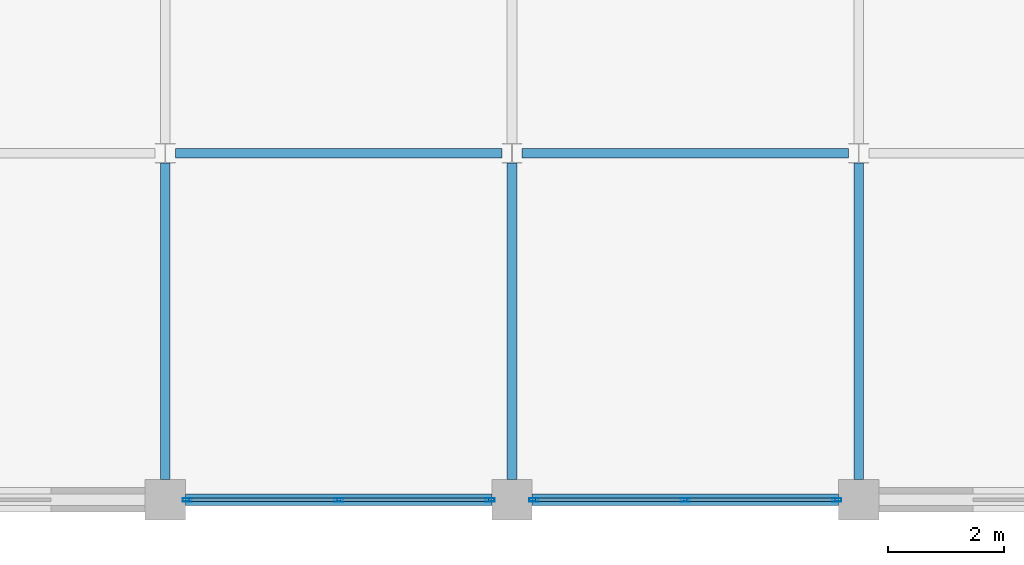
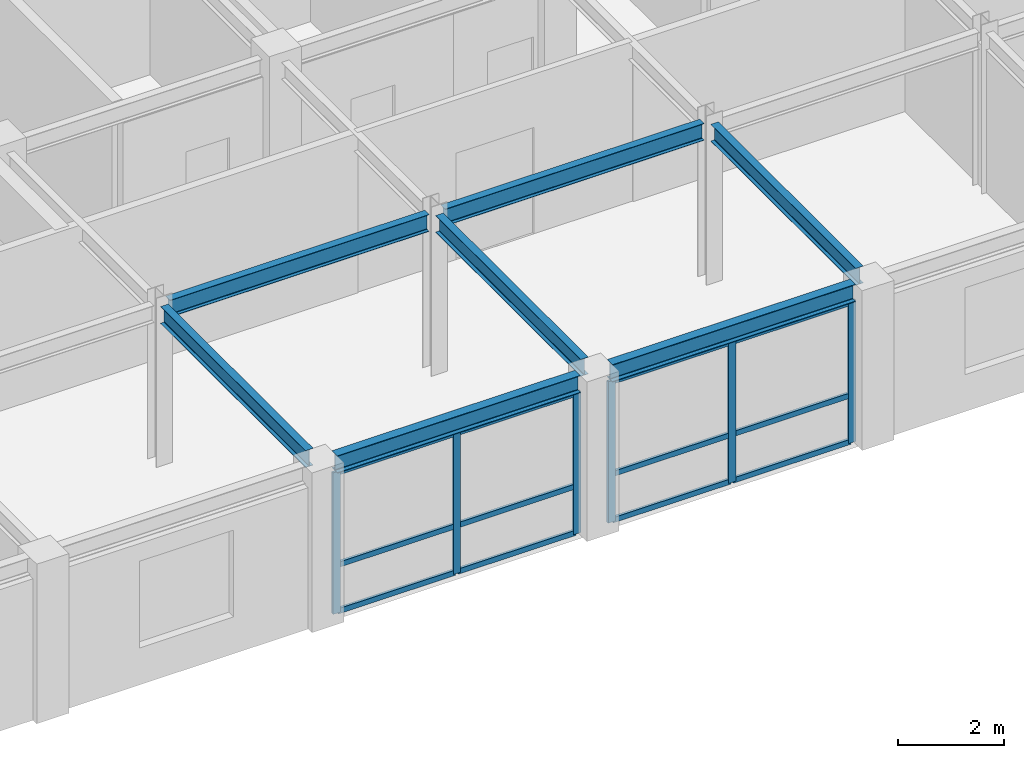
# One storey, part 5 of 13: 18 members, 7 beams, 2 elements without a shape of their own.
"""IFC4 building model written with IfcOpenShell, lengths in metres."""

from ifc_helpers import new_model, si_unit, direction, frame, origin, origin_2d, place, context, subcontext, project, spatial, hollow_rectangle, i_section, extrude, material, layer, layer_set, material_profile, profile_set, type_object, element, aggregate, save


model = new_model("IFC4")

# Units and contexts
model_context = context("Model", 3, precision=1e-05, world=origin(), true_north=direction((0.0, 1.0)))
body_context = subcontext(model_context, "Body", "Model", "MODEL_VIEW")
ifc_project = project(units=[si_unit("LENGTHUNIT", "METRE"), si_unit("AREAUNIT", "SQUARE_METRE"), si_unit("VOLUMEUNIT", "CUBIC_METRE"), si_unit("PLANEANGLEUNIT", "RADIAN"), si_unit("MASSUNIT", "GRAM", prefix="KILO")], contexts=[model_context])

# Site, building, storey
site_placement = place(None, origin())
site = spatial("IfcSite", under=ifc_project, at=site_placement, CompositionType="ELEMENT")
building_placement = place(site_placement, origin())
building = spatial("IfcBuilding", under=site, at=building_placement, Name="Zlatovratsky Civic Hall", CompositionType="ELEMENT")
storey_placement = place(building_placement, frame((0.0, 0.0, 48.300048828125)))
storey = spatial("IfcBuildingStorey", under=building, at=storey_placement, Name="L12", CompositionType="ELEMENT", Elevation=48.300048828125)

# Beams
ifc_material_1 = material(Name="Steel S355", Category="steel")
ifc_material_profile_1 = material_profile(ifc_material_1, i_section(OverallWidth=0.199951171875, OverallDepth=0.39990234375, WebThickness=0.008056640625, FlangeThickness=0.012939453125, FilletRadius=0.014892578125, at=origin_2d()), Name="40B2")
ifc_profile_set_1 = profile_set([ifc_material_profile_1], Name="Steel S355")
beam_type_1 = type_object("IfcBeamType", Name="Beam_Spandrel_40B2", PredefinedType="SPANDREL", material=ifc_profile_set_1)
for number, where, z_axis, x_axis, name in (
    (1, (78.35009765625, 72.0, 3.47998046875), (1.0, 0.0, 0.0), (0.0, 1.0, 0.0), "BM-4799"),
    (2, (84.35009765625, 72.0, 3.47998046875), (1.0, 0.0, 0.0), (0.0, 1.0, 0.0), "BM-4800"),
):
    element("IfcBeam", number, at=place(storey_placement, frame(where, z_axis=z_axis, x_axis=x_axis)), inside=storey, type_object=beam_type_1, Name=name, PredefinedType="SPANDREL", context=body_context, shape_type="SweptSolid", body=[
        extrude(i_section(OverallWidth=0.199951171875, OverallDepth=0.39990234375, WebThickness=0.008056640625, FlangeThickness=0.012939453125, FilletRadius=0.014892578125, at=origin_2d()), origin(), (0.0, 0.0, 1.0), 5.2998046875),
    ])
ifc_material_profile_2 = material_profile(ifc_material_1, i_section(OverallWidth=0.1650390625, OverallDepth=0.39208984375, WebThickness=0.006591796875, FlangeThickness=0.009521484375, FilletRadius=0.014892578125, at=origin_2d()), Name="40B1")
ifc_profile_set_2 = profile_set([ifc_material_profile_2], Name="Steel S355")
beam_type_2 = type_object("IfcBeamType", Name="Beam_Tie_40B1", PredefinedType="BEAM", material=ifc_profile_set_2)
for number, where, z_axis, x_axis, name in (
    (3, (78.175048828125, 78.0, 3.48388671875), (1.0, 0.0, 0.0), (0.0, 1.0, 0.0), "BM-4807"),
    (4, (84.175048828125, 78.0, 3.48388671875), (1.0, 0.0, 0.0), (0.0, 1.0, 0.0), "BM-4808"),
):
    element("IfcBeam", number, at=place(storey_placement, frame(where, z_axis=z_axis, x_axis=x_axis)), inside=storey, type_object=beam_type_2, Name=name, PredefinedType="BEAM", context=body_context, shape_type="SweptSolid", body=[
        extrude(i_section(OverallWidth=0.1650390625, OverallDepth=0.39208984375, WebThickness=0.006591796875, FlangeThickness=0.009521484375, FilletRadius=0.014892578125, at=origin_2d()), origin(), (0.0, 0.0, 1.0), 5.64990234375),
    ])
for number, where, z_axis, x_axis, name in (
    (5, (78.0, 72.35009765625, 3.48388671875), (0.0, 1.0, 0.0), (-1.0, 0.0, 0.0), "BM-4857"),
    (6, (84.0, 72.35009765625, 3.48388671875), (0.0, 1.0, 0.0), (-1.0, 0.0, 0.0), "BM-4862"),
    (7, (90.0, 72.35009765625, 3.48388671875), (0.0, 1.0, 0.0), (-1.0, 0.0, 0.0), "BM-4867"),
):
    element("IfcBeam", number, at=place(storey_placement, frame(where, z_axis=z_axis, x_axis=x_axis)), inside=storey, type_object=beam_type_2, Name=name, PredefinedType="BEAM", context=body_context, shape_type="SweptSolid", body=[
        extrude(i_section(OverallWidth=0.1650390625, OverallDepth=0.39208984375, WebThickness=0.006591796875, FlangeThickness=0.009521484375, FilletRadius=0.014892578125, at=origin_2d()), origin(), (0.0, 0.0, 1.0), 5.478515625),
    ])

# Curtain wall, members
ifc_material_2 = material(Name="Anodised bronze aluminium", Category="aluminium")
ifc_layer = layer(ifc_material_2, 0.159912109375)
ifc_layer_set = layer_set([ifc_layer], Name="Anodised bronze aluminium")
curtain_wall_type = type_object("IfcCurtainWallType", Name="CurtainWall_Bronze_5300x3260_23", PredefinedType="NOTDEFINED", material=ifc_layer_set)
curtain_wall_1_placement = place(storey_placement, origin())
curtain_wall_1 = element("IfcCurtainWall", 8, at=curtain_wall_1_placement, inside=storey, type_object=curtain_wall_type, Name="CW-157", PredefinedType="NOTDEFINED")
ifc_material_profile_3 = material_profile(ifc_material_2, hollow_rectangle(XDim=0.06005859375, YDim=0.159912109375, WallThickness=0.00390625, at=origin_2d()), Name="ALU 60x160x4")
ifc_profile_set_3 = profile_set([ifc_material_profile_3], Name="Anodised bronze aluminium")
member_type_1 = type_object("IfcMemberType", Name="CW_Mullion_60x160", PredefinedType="MULLION", material=ifc_profile_set_3)
member_1_placement = place(storey_placement, frame((78.3798828125, 72.0, 0.0), z_axis=(0.0, 0.0, 1.0), x_axis=(0.0, 1.0, 0.0)))
member_1 = element("IfcMember", 9, at=member_1_placement, type_object=member_type_1, Name="CW-23 mullion 1", PredefinedType="MULLION", context=body_context, shape_type="SweptSolid", body=[
    extrude(hollow_rectangle(XDim=0.06005859375, YDim=0.159912109375, WallThickness=0.00390625, at=origin_2d()), origin(), (0.0, 0.0, 1.0), 3.260009765625),
])
member_2_placement = place(storey_placement, frame((81.0, 72.0, 0.0), z_axis=(0.0, 0.0, 1.0), x_axis=(0.0, 1.0, 0.0)))
member_2 = element("IfcMember", 10, at=member_2_placement, type_object=member_type_1, Name="CW-23 mullion 2", PredefinedType="MULLION", context=body_context, shape_type="SweptSolid", body=[
    extrude(hollow_rectangle(XDim=0.06005859375, YDim=0.159912109375, WallThickness=0.00390625, at=origin_2d()), origin(), (0.0, 0.0, 1.0), 3.260009765625),
])
member_3_placement = place(storey_placement, frame((83.6201171875, 72.0, 0.0), z_axis=(0.0, 0.0, 1.0), x_axis=(0.0, 1.0, 0.0)))
member_3 = element("IfcMember", 11, at=member_3_placement, type_object=member_type_1, Name="CW-23 mullion 3", PredefinedType="MULLION", context=body_context, shape_type="SweptSolid", body=[
    extrude(hollow_rectangle(XDim=0.06005859375, YDim=0.159912109375, WallThickness=0.00390625, at=origin_2d()), origin(), (0.0, 0.0, 1.0), 3.260009765625),
])

curtain_wall_2_placement = place(storey_placement, origin())
curtain_wall_2 = element("IfcCurtainWall", 12, at=curtain_wall_2_placement, inside=storey, type_object=curtain_wall_type, Name="CW-158", PredefinedType="NOTDEFINED")
member_4_placement = place(storey_placement, frame((84.3798828125, 72.0, 0.0), z_axis=(0.0, 0.0, 1.0), x_axis=(0.0, 1.0, 0.0)))
member_4 = element("IfcMember", 13, at=member_4_placement, type_object=member_type_1, Name="CW-23 mullion 1", PredefinedType="MULLION", context=body_context, shape_type="SweptSolid", body=[
    extrude(hollow_rectangle(XDim=0.06005859375, YDim=0.159912109375, WallThickness=0.00390625, at=origin_2d()), origin(), (0.0, 0.0, 1.0), 3.260009765625),
])
member_5_placement = place(storey_placement, frame((87.0, 72.0, 0.0), z_axis=(0.0, 0.0, 1.0), x_axis=(0.0, 1.0, 0.0)))
member_5 = element("IfcMember", 14, at=member_5_placement, type_object=member_type_1, Name="CW-23 mullion 2", PredefinedType="MULLION", context=body_context, shape_type="SweptSolid", body=[
    extrude(hollow_rectangle(XDim=0.06005859375, YDim=0.159912109375, WallThickness=0.00390625, at=origin_2d()), origin(), (0.0, 0.0, 1.0), 3.260009765625),
])
member_6_placement = place(storey_placement, frame((89.6201171875, 72.0, 0.0), z_axis=(0.0, 0.0, 1.0), x_axis=(0.0, 1.0, 0.0)))
member_6 = element("IfcMember", 15, at=member_6_placement, type_object=member_type_1, Name="CW-23 mullion 3", PredefinedType="MULLION", context=body_context, shape_type="SweptSolid", body=[
    extrude(hollow_rectangle(XDim=0.06005859375, YDim=0.159912109375, WallThickness=0.00390625, at=origin_2d()), origin(), (0.0, 0.0, 1.0), 3.260009765625),
])

# Member
ifc_material_profile_4 = material_profile(ifc_material_2, hollow_rectangle(XDim=0.06005859375, YDim=0.1201171875, WallThickness=0.00390625, at=origin_2d()), Name="ALU 60x120x4")
ifc_profile_set_4 = profile_set([ifc_material_profile_4], Name="Anodised bronze aluminium")
member_type_2 = type_object("IfcMemberType", Name="CW_Transom_60x120", PredefinedType="USERDEFINED", material=ifc_profile_set_4)
member_7_placement = place(storey_placement, frame((78.409912109375, 72.0, 0.030029296875), z_axis=(1.0, 0.0, 0.0), x_axis=(0.0, 1.0, 0.0)))
member_7 = element("IfcMember", 16, at=member_7_placement, type_object=member_type_2, Name="CW-23 transom 1.1", ObjectType="TRANSOM", PredefinedType="USERDEFINED", context=body_context, shape_type="SweptSolid", body=[
    extrude(hollow_rectangle(XDim=0.06005859375, YDim=0.1201171875, WallThickness=0.00390625, at=origin_2d()), origin(), (0.0, 0.0, 1.0), 2.56005859375),
])

member_8_placement = place(storey_placement, frame((78.409912109375, 72.0, 1.099853515625), z_axis=(1.0, 0.0, 0.0), x_axis=(0.0, 1.0, 0.0)))
member_8 = element("IfcMember", 17, at=member_8_placement, type_object=member_type_2, Name="CW-23 transom 1.2", ObjectType="TRANSOM", PredefinedType="USERDEFINED", context=body_context, shape_type="SweptSolid", body=[
    extrude(hollow_rectangle(XDim=0.06005859375, YDim=0.1201171875, WallThickness=0.00390625, at=origin_2d()), origin(), (0.0, 0.0, 1.0), 2.56005859375),
])

member_9_placement = place(storey_placement, frame((78.409912109375, 72.0, 3.22998046875), z_axis=(1.0, 0.0, 0.0), x_axis=(0.0, 1.0, 0.0)))
member_9 = element("IfcMember", 18, at=member_9_placement, type_object=member_type_2, Name="CW-23 transom 1.3", ObjectType="TRANSOM", PredefinedType="USERDEFINED", context=body_context, shape_type="SweptSolid", body=[
    extrude(hollow_rectangle(XDim=0.06005859375, YDim=0.1201171875, WallThickness=0.00390625, at=origin_2d()), origin(), (0.0, 0.0, 1.0), 2.56005859375),
])

member_10_placement = place(storey_placement, frame((81.030029296875, 72.0, 0.030029296875), z_axis=(1.0, 0.0, 0.0), x_axis=(0.0, 1.0, 0.0)))
member_10 = element("IfcMember", 19, at=member_10_placement, type_object=member_type_2, Name="CW-23 transom 2.1", ObjectType="TRANSOM", PredefinedType="USERDEFINED", context=body_context, shape_type="SweptSolid", body=[
    extrude(hollow_rectangle(XDim=0.06005859375, YDim=0.1201171875, WallThickness=0.00390625, at=origin_2d()), origin(), (0.0, 0.0, 1.0), 2.56005859375),
])

member_11_placement = place(storey_placement, frame((81.030029296875, 72.0, 1.099853515625), z_axis=(1.0, 0.0, 0.0), x_axis=(0.0, 1.0, 0.0)))
member_11 = element("IfcMember", 20, at=member_11_placement, type_object=member_type_2, Name="CW-23 transom 2.2", ObjectType="TRANSOM", PredefinedType="USERDEFINED", context=body_context, shape_type="SweptSolid", body=[
    extrude(hollow_rectangle(XDim=0.06005859375, YDim=0.1201171875, WallThickness=0.00390625, at=origin_2d()), origin(), (0.0, 0.0, 1.0), 2.56005859375),
])

member_12_placement = place(storey_placement, frame((81.030029296875, 72.0, 3.22998046875), z_axis=(1.0, 0.0, 0.0), x_axis=(0.0, 1.0, 0.0)))
member_12 = element("IfcMember", 21, at=member_12_placement, type_object=member_type_2, Name="CW-23 transom 2.3", ObjectType="TRANSOM", PredefinedType="USERDEFINED", context=body_context, shape_type="SweptSolid", body=[
    extrude(hollow_rectangle(XDim=0.06005859375, YDim=0.1201171875, WallThickness=0.00390625, at=origin_2d()), origin(), (0.0, 0.0, 1.0), 2.56005859375),
])

aggregate(curtain_wall_1, [member_1, member_2, member_3, member_7, member_8, member_9, member_10, member_11, member_12])

member_13_placement = place(storey_placement, frame((84.409912109375, 72.0, 0.030029296875), z_axis=(1.0, 0.0, 0.0), x_axis=(0.0, 1.0, 0.0)))
member_13 = element("IfcMember", 22, at=member_13_placement, type_object=member_type_2, Name="CW-23 transom 1.1", ObjectType="TRANSOM", PredefinedType="USERDEFINED", context=body_context, shape_type="SweptSolid", body=[
    extrude(hollow_rectangle(XDim=0.06005859375, YDim=0.1201171875, WallThickness=0.00390625, at=origin_2d()), origin(), (0.0, 0.0, 1.0), 2.56005859375),
])

member_14_placement = place(storey_placement, frame((84.409912109375, 72.0, 1.099853515625), z_axis=(1.0, 0.0, 0.0), x_axis=(0.0, 1.0, 0.0)))
member_14 = element("IfcMember", 23, at=member_14_placement, type_object=member_type_2, Name="CW-23 transom 1.2", ObjectType="TRANSOM", PredefinedType="USERDEFINED", context=body_context, shape_type="SweptSolid", body=[
    extrude(hollow_rectangle(XDim=0.06005859375, YDim=0.1201171875, WallThickness=0.00390625, at=origin_2d()), origin(), (0.0, 0.0, 1.0), 2.56005859375),
])

member_15_placement = place(storey_placement, frame((84.409912109375, 72.0, 3.22998046875), z_axis=(1.0, 0.0, 0.0), x_axis=(0.0, 1.0, 0.0)))
member_15 = element("IfcMember", 24, at=member_15_placement, type_object=member_type_2, Name="CW-23 transom 1.3", ObjectType="TRANSOM", PredefinedType="USERDEFINED", context=body_context, shape_type="SweptSolid", body=[
    extrude(hollow_rectangle(XDim=0.06005859375, YDim=0.1201171875, WallThickness=0.00390625, at=origin_2d()), origin(), (0.0, 0.0, 1.0), 2.56005859375),
])

member_16_placement = place(storey_placement, frame((87.030029296875, 72.0, 0.030029296875), z_axis=(1.0, 0.0, 0.0), x_axis=(0.0, 1.0, 0.0)))
member_16 = element("IfcMember", 25, at=member_16_placement, type_object=member_type_2, Name="CW-23 transom 2.1", ObjectType="TRANSOM", PredefinedType="USERDEFINED", context=body_context, shape_type="SweptSolid", body=[
    extrude(hollow_rectangle(XDim=0.06005859375, YDim=0.1201171875, WallThickness=0.00390625, at=origin_2d()), origin(), (0.0, 0.0, 1.0), 2.56005859375),
])

member_17_placement = place(storey_placement, frame((87.030029296875, 72.0, 1.099853515625), z_axis=(1.0, 0.0, 0.0), x_axis=(0.0, 1.0, 0.0)))
member_17 = element("IfcMember", 26, at=member_17_placement, type_object=member_type_2, Name="CW-23 transom 2.2", ObjectType="TRANSOM", PredefinedType="USERDEFINED", context=body_context, shape_type="SweptSolid", body=[
    extrude(hollow_rectangle(XDim=0.06005859375, YDim=0.1201171875, WallThickness=0.00390625, at=origin_2d()), origin(), (0.0, 0.0, 1.0), 2.56005859375),
])

member_18_placement = place(storey_placement, frame((87.030029296875, 72.0, 3.22998046875), z_axis=(1.0, 0.0, 0.0), x_axis=(0.0, 1.0, 0.0)))
member_18 = element("IfcMember", 27, at=member_18_placement, type_object=member_type_2, Name="CW-23 transom 2.3", ObjectType="TRANSOM", PredefinedType="USERDEFINED", context=body_context, shape_type="SweptSolid", body=[
    extrude(hollow_rectangle(XDim=0.06005859375, YDim=0.1201171875, WallThickness=0.00390625, at=origin_2d()), origin(), (0.0, 0.0, 1.0), 2.56005859375),
])

aggregate(curtain_wall_2, [member_4, member_5, member_6, member_13, member_14, member_15, member_16, member_17, member_18])

save(model, "model.ifc")
